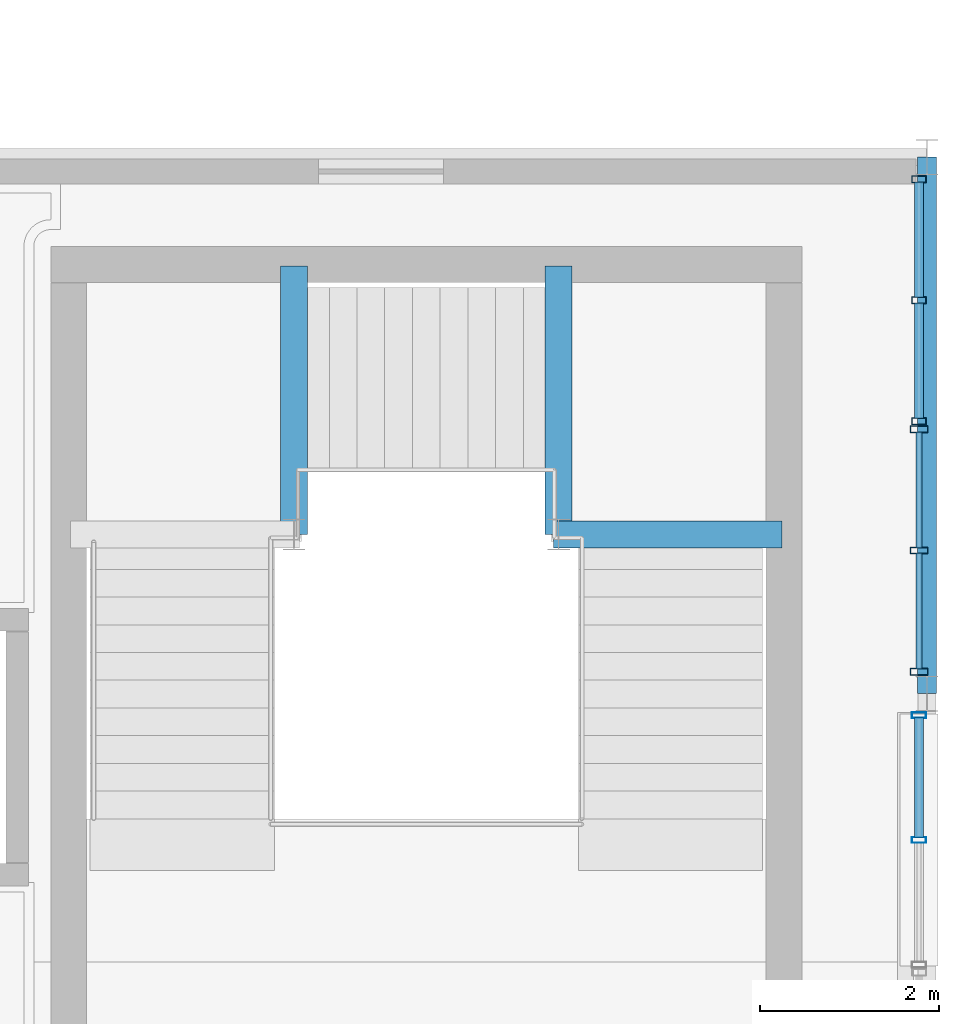
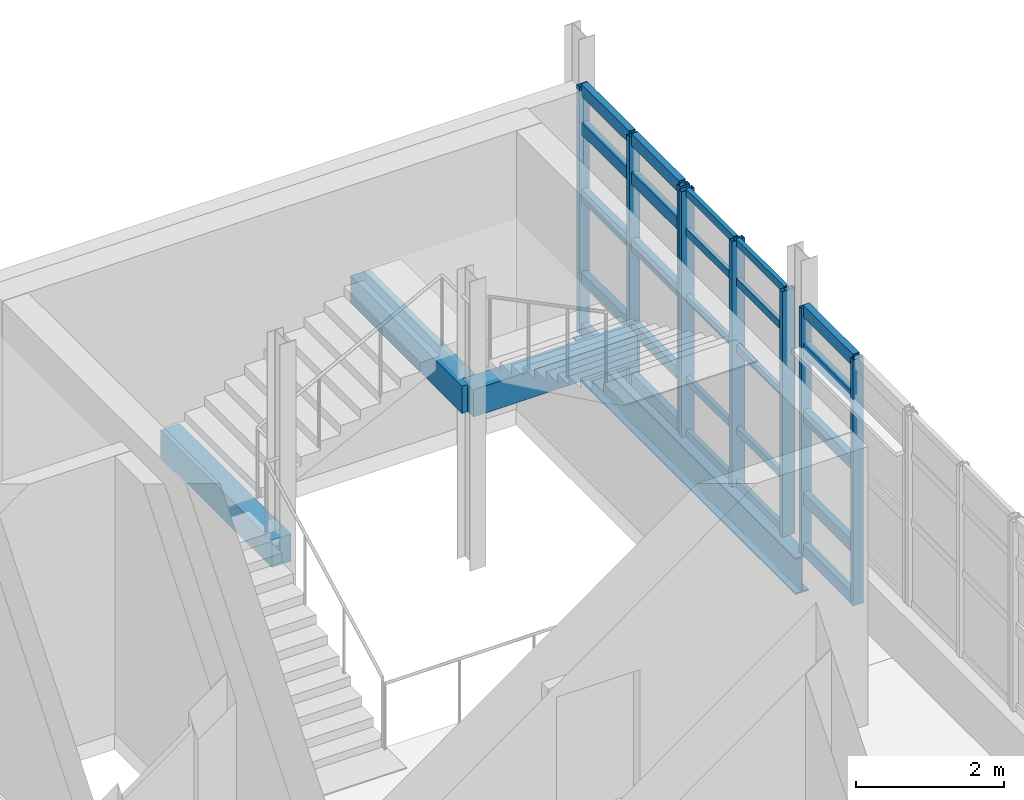
# One storey, part 58 of 102: 33 members, 4 beams, 3 elements without a shape of their own.
"""IFC4 building model written with IfcOpenShell, lengths in metres."""

from ifc_helpers import new_model, si_unit, derived_unit, direction, frame, origin, origin_2d, place, context, subcontext, project, spatial, rectangle, hollow_rectangle, i_section, extrude, material, layer, layer_set, material_profile, profile_set, type_object, element, aggregate, save


model = new_model("IFC4")

# Units and contexts
model_context = context("Model", 3, precision=1e-05, world=origin(), true_north=direction((0.0, 1.0)))
body_context = subcontext(model_context, "Body", "Model", "MODEL_VIEW")
ifc_project = project(units=[si_unit("LENGTHUNIT", "METRE"), si_unit("AREAUNIT", "SQUARE_METRE"), si_unit("VOLUMEUNIT", "CUBIC_METRE"), si_unit("PLANEANGLEUNIT", "RADIAN"), si_unit("MASSUNIT", "GRAM", prefix="KILO"), derived_unit("THERMALTRANSMITTANCEUNIT", [(si_unit("POWERUNIT", "WATT"), 1), (si_unit("LENGTHUNIT", "METRE"), -2), (si_unit("THERMODYNAMICTEMPERATUREUNIT", "KELVIN"), -1)])], contexts=[model_context])

# Site, building, storey
site_placement = place(None, origin())
site = spatial("IfcSite", under=ifc_project, at=site_placement, CompositionType="ELEMENT")
building_placement = place(site_placement, origin())
building = spatial("IfcBuilding", under=site, at=building_placement, Name="Nallur Shell Playhouse", CompositionType="ELEMENT")
storey_placement = place(building_placement, frame((0.0, 0.0, 15.0)))
storey = spatial("IfcBuildingStorey", under=building, at=storey_placement, Name="L04", CompositionType="ELEMENT", Elevation=15.0)

# Beams
ifc_material_1 = material(Name="Concrete M35", Category="concrete")
ifc_material_profile_1 = material_profile(ifc_material_1, rectangle(XDim=0.300048828125, YDim=0.449951171875, at=origin_2d()), Name="RC 300x450")
ifc_profile_set_1 = profile_set([ifc_material_profile_1], Name="Concrete M35")
beam_type_1 = type_object("IfcBeamType", Name="BM-SPN-300x450", PredefinedType="SPANDREL", material=ifc_profile_set_1)
beam_1_placement = place(storey_placement, frame((152.719970703125, 51.780029296875, 1.22509765625), z_axis=(0.0, 1.0, 0.0), x_axis=(-1.0, 0.0, 0.0)))
element("IfcBeam", 1, at=beam_1_placement, inside=storey, type_object=beam_type_1, Name="Stair ST-05-L04 L1 east bearer beam", PredefinedType="SPANDREL", context=body_context, shape_type="SweptSolid", body=[
    extrude(rectangle(XDim=0.300048828125, YDim=0.449951171875, at=origin_2d()), origin(), (0.0, 0.0, 1.0), 3.0),
])
beam_2_placement = place(storey_placement, frame((155.6201171875, 51.780029296875, 2.72509765625), z_axis=(1.0, 0.0, 0.0), x_axis=(0.0, 1.0, 0.0)))
element("IfcBeam", 2, at=beam_2_placement, inside=storey, type_object=beam_type_1, Name="Stair ST-05-L04 L2 south bearer beam", PredefinedType="SPANDREL", context=body_context, shape_type="SweptSolid", body=[
    extrude(rectangle(XDim=0.300048828125, YDim=0.449951171875, at=origin_2d()), origin(), (0.0, 0.0, 1.0), 2.559814453125),
])
beam_3_placement = place(storey_placement, frame((155.679931640625, 51.780029296875, 2.72509765625), z_axis=(0.0, 1.0, 0.0), x_axis=(-1.0, 0.0, 0.0)))
element("IfcBeam", 3, at=beam_3_placement, inside=storey, type_object=beam_type_1, Name="Stair ST-05-L04 L2 west bearer beam", PredefinedType="SPANDREL", context=body_context, shape_type="SweptSolid", body=[
    extrude(rectangle(XDim=0.300048828125, YDim=0.449951171875, at=origin_2d()), origin(), (0.0, 0.0, 1.0), 3.0),
])
ifc_material_2 = material(Name="Steel E350", Category="steel")
ifc_material_profile_2 = material_profile(ifc_material_2, i_section(OverallWidth=0.2099609375, OverallDepth=0.60009765625, WebThickness=0.011962890625, FlangeThickness=0.020751953125, FilletRadius=0.02001953125, at=origin_2d()), Name="ISMB 600")
ifc_profile_set_2 = profile_set([ifc_material_profile_2], Name="Steel E350")
beam_type_2 = type_object("IfcBeamType", Name="BM-ST-ISMB600", PredefinedType="BEAM", material=ifc_profile_set_2)
beam_4_placement = place(storey_placement, frame((159.800048828125, 50.0, -0.56005859375), z_axis=(0.0, 1.0, 0.0), x_axis=(-1.0, 0.0, 0.0)))
element("IfcBeam", 4, at=beam_4_placement, inside=storey, type_object=beam_type_2, Name="L04 girder Y-19-872", PredefinedType="BEAM", context=body_context, shape_type="SweptSolid", body=[
    extrude(i_section(OverallWidth=0.2099609375, OverallDepth=0.60009765625, WebThickness=0.011962890625, FlangeThickness=0.020751953125, FilletRadius=0.02001953125, at=origin_2d()), origin(), (0.0, 0.0, 1.0), 6.0),
])

# Curtain wall, members
ifc_material_3 = material(Name="Anodised Aluminium Double-Glazed Facade System", Category="aluminium")
ifc_layer_1 = layer(ifc_material_3, 0.16796875)
ifc_layer_set_1 = layer_set([ifc_layer_1], Name="Anodised Aluminium Double-Glazed Facade System")
curtain_wall_type_1 = type_object("IfcCurtainWallType", Name="CW-UNIT-14", PredefinedType="NOTDEFINED", material=ifc_layer_set_1)
curtain_wall_1_placement = place(storey_placement, origin())
curtain_wall_1 = element("IfcCurtainWall", 5, at=curtain_wall_1_placement, inside=storey, type_object=curtain_wall_type_1, Name="Unitised curtain wall CW-110 (L04)", PredefinedType="NOTDEFINED")
ifc_material_4 = material(Name="Aluminium Alloy 6063-T6 Mullion", Category="aluminium")
ifc_material_profile_3 = material_profile(ifc_material_4, hollow_rectangle(XDim=0.080078125, YDim=0.159912109375, WallThickness=0.006103515625, at=origin_2d()), Name="RHS 160x80x6")
ifc_profile_set_3 = profile_set([ifc_material_profile_3], Name="Aluminium Alloy 6063-T6 Mullion")
member_type_1 = type_object("IfcMemberType", Name="MB-CW-MUL150", PredefinedType="MULLION", material=ifc_profile_set_3)
member_1_placement = place(storey_placement, frame((159.7099609375, 55.751953125, -0.014892578125), z_axis=(0.0, 0.0, 1.0), x_axis=(0.0, -1.0, 0.0)))
member_1 = element("IfcMember", 6, at=member_1_placement, type_object=member_type_1, Name="CW-14 mullion 1", PredefinedType="MULLION", context=body_context, shape_type="SweptSolid", body=[
    extrude(hollow_rectangle(XDim=0.080078125, YDim=0.159912109375, WallThickness=0.006103515625, at=origin_2d()), origin(), (0.0, 0.0, 1.0), 4.06396484375),
])
member_2_placement = place(storey_placement, frame((159.7099609375, 54.3984375, -0.014892578125), z_axis=(0.0, 0.0, 1.0), x_axis=(0.0, -1.0, 0.0)))
member_2 = element("IfcMember", 7, at=member_2_placement, type_object=member_type_1, Name="CW-14 mullion 2", PredefinedType="MULLION", context=body_context, shape_type="SweptSolid", body=[
    extrude(hollow_rectangle(XDim=0.080078125, YDim=0.159912109375, WallThickness=0.006103515625, at=origin_2d()), origin(), (0.0, 0.0, 1.0), 4.06396484375),
])
member_3_placement = place(storey_placement, frame((159.7099609375, 53.044921875, -0.014892578125), z_axis=(0.0, 0.0, 1.0), x_axis=(0.0, -1.0, 0.0)))
member_3 = element("IfcMember", 8, at=member_3_placement, type_object=member_type_1, Name="CW-14 mullion 3", PredefinedType="MULLION", context=body_context, shape_type="SweptSolid", body=[
    extrude(hollow_rectangle(XDim=0.080078125, YDim=0.159912109375, WallThickness=0.006103515625, at=origin_2d()), origin(), (0.0, 0.0, 1.0), 4.06396484375),
])

ifc_layer_2 = layer(ifc_material_3, 0.176025390625)
ifc_layer_set_2 = layer_set([ifc_layer_2], Name="Anodised Aluminium Double-Glazed Facade System")
curtain_wall_type_2 = type_object("IfcCurtainWallType", Name="CW-UNIT-16", PredefinedType="NOTDEFINED", material=ifc_layer_set_2)
curtain_wall_2_placement = place(storey_placement, origin())
curtain_wall_2 = element("IfcCurtainWall", 9, at=curtain_wall_2_placement, inside=storey, type_object=curtain_wall_type_2, Name="Unitised curtain wall CW-112 (L04)", PredefinedType="NOTDEFINED")
ifc_material_profile_4 = material_profile(ifc_material_4, hollow_rectangle(XDim=0.06494140625, YDim=0.159912109375, WallThickness=0.00390625, at=origin_2d()), Name="ALU 65x160x4")
ifc_profile_set_4 = profile_set([ifc_material_profile_4], Name="Aluminium Alloy 6063-T6 Mullion")
member_type_2 = type_object("IfcMemberType", Name="MB-CW-MUL160", PredefinedType="MULLION", material=ifc_profile_set_4)
member_4_placement = place(storey_placement, frame((159.7099609375, 49.759521484375, -0.014892578125), z_axis=(0.0, 0.0, 1.0), x_axis=(0.0, -1.0, 0.0)))
member_4 = element("IfcMember", 10, at=member_4_placement, type_object=member_type_2, Name="CW-16 mullion 1", PredefinedType="MULLION", context=body_context, shape_type="SweptSolid", body=[
    extrude(hollow_rectangle(XDim=0.06494140625, YDim=0.159912109375, WallThickness=0.00390625, at=origin_2d()), origin(), (0.0, 0.0, 1.0), 4.053955078125),
])
member_5_placement = place(storey_placement, frame((159.7099609375, 48.36376953125, -0.014892578125), z_axis=(0.0, 0.0, 1.0), x_axis=(0.0, -1.0, 0.0)))
member_5 = element("IfcMember", 11, at=member_5_placement, type_object=member_type_2, Name="CW-16 mullion 2", PredefinedType="MULLION", context=body_context, shape_type="SweptSolid", body=[
    extrude(hollow_rectangle(XDim=0.06494140625, YDim=0.159912109375, WallThickness=0.00390625, at=origin_2d()), origin(), (0.0, 0.0, 1.0), 4.053955078125),
])

ifc_layer_3 = layer(ifc_material_3, 0.172119140625)
ifc_layer_set_3 = layer_set([ifc_layer_3], Name="Anodised Aluminium Double-Glazed Facade System")
curtain_wall_type_3 = type_object("IfcCurtainWallType", Name="CW-UNIT-15", PredefinedType="NOTDEFINED", material=ifc_layer_set_3)
curtain_wall_3_placement = place(storey_placement, origin())
curtain_wall_3 = element("IfcCurtainWall", 12, at=curtain_wall_3_placement, inside=storey, type_object=curtain_wall_type_3, Name="Unitised curtain wall CW-111 (L04)", PredefinedType="NOTDEFINED")
ifc_material_profile_5 = material_profile(ifc_material_4, hollow_rectangle(XDim=0.074951171875, YDim=0.199951171875, WallThickness=0.0048828125, at=origin_2d()), Name="ALU 75x200x5")
ifc_profile_set_5 = profile_set([ifc_material_profile_5], Name="Aluminium Alloy 6063-T6 Mullion")
member_type_3 = type_object("IfcMemberType", Name="MB-CW-MUL180", PredefinedType="MULLION", material=ifc_profile_set_5)
member_6_placement = place(storey_placement, frame((159.7099609375, 52.95751953125, -0.014892578125), z_axis=(0.0, 0.0, 1.0), x_axis=(0.0, -1.0, 0.0)))
member_6 = element("IfcMember", 13, at=member_6_placement, type_object=member_type_3, Name="CW-15 mullion 1", PredefinedType="MULLION", context=body_context, shape_type="SweptSolid", body=[
    extrude(hollow_rectangle(XDim=0.074951171875, YDim=0.199951171875, WallThickness=0.0048828125, at=origin_2d()), origin(), (0.0, 0.0, 1.0), 4.0439453125),
])
member_7_placement = place(storey_placement, frame((159.7099609375, 51.6015625, -0.014892578125), z_axis=(0.0, 0.0, 1.0), x_axis=(0.0, -1.0, 0.0)))
member_7 = element("IfcMember", 14, at=member_7_placement, type_object=member_type_3, Name="CW-15 mullion 2", PredefinedType="MULLION", context=body_context, shape_type="SweptSolid", body=[
    extrude(hollow_rectangle(XDim=0.074951171875, YDim=0.199951171875, WallThickness=0.0048828125, at=origin_2d()), origin(), (0.0, 0.0, 1.0), 4.0439453125),
])
member_8_placement = place(storey_placement, frame((159.7099609375, 50.24560546875, -0.014892578125), z_axis=(0.0, 0.0, 1.0), x_axis=(0.0, -1.0, 0.0)))
member_8 = element("IfcMember", 15, at=member_8_placement, type_object=member_type_3, Name="CW-15 mullion 3", PredefinedType="MULLION", context=body_context, shape_type="SweptSolid", body=[
    extrude(hollow_rectangle(XDim=0.074951171875, YDim=0.199951171875, WallThickness=0.0048828125, at=origin_2d()), origin(), (0.0, 0.0, 1.0), 4.0439453125),
])
ifc_material_5 = material(Name="Aluminium Alloy 6063-T6 Transom", Category="aluminium")
ifc_material_profile_6 = material_profile(ifc_material_5, hollow_rectangle(XDim=0.06494140625, YDim=0.1201171875, WallThickness=0.00390625, at=origin_2d()), Name="ALU 65x120x4")
ifc_profile_set_6 = profile_set([ifc_material_profile_6], Name="Aluminium Alloy 6063-T6 Transom")
member_type_4 = type_object("IfcMemberType", Name="MB-CW-TRN120", PredefinedType="USERDEFINED", material=ifc_profile_set_6)
member_9_placement = place(storey_placement, frame((159.7099609375, 52.927978515625, 0.032470703125), z_axis=(0.0, -1.0, 0.0), x_axis=(1.0, 0.0, 0.0)))
member_9 = element("IfcMember", 16, at=member_9_placement, type_object=member_type_4, Name="CW-15 transom 1.1", ObjectType="TRANSOM", PredefinedType="USERDEFINED", context=body_context, shape_type="SweptSolid", body=[
    extrude(hollow_rectangle(XDim=0.06494140625, YDim=0.1201171875, WallThickness=0.00390625, at=origin_2d()), origin(), (0.0, 0.0, 1.0), 1.296875),
])
member_10_placement = place(storey_placement, frame((159.7099609375, 52.927978515625, 0.89990234375), z_axis=(0.0, -1.0, 0.0), x_axis=(1.0, 0.0, 0.0)))
member_10 = element("IfcMember", 17, at=member_10_placement, type_object=member_type_4, Name="CW-15 transom 1.2", ObjectType="TRANSOM", PredefinedType="USERDEFINED", context=body_context, shape_type="SweptSolid", body=[
    extrude(hollow_rectangle(XDim=0.06494140625, YDim=0.1201171875, WallThickness=0.00390625, at=origin_2d()), origin(), (0.0, 0.0, 1.0), 1.296875),
])
member_11_placement = place(storey_placement, frame((159.7099609375, 52.927978515625, 2.25390625), z_axis=(0.0, -1.0, 0.0), x_axis=(1.0, 0.0, 0.0)))
member_11 = element("IfcMember", 18, at=member_11_placement, type_object=member_type_4, Name="CW-15 transom 1.3", ObjectType="TRANSOM", PredefinedType="USERDEFINED", context=body_context, shape_type="SweptSolid", body=[
    extrude(hollow_rectangle(XDim=0.06494140625, YDim=0.1201171875, WallThickness=0.00390625, at=origin_2d()), origin(), (0.0, 0.0, 1.0), 1.296875),
])
member_12_placement = place(storey_placement, frame((159.7099609375, 52.927978515625, 3.344970703125), z_axis=(0.0, -1.0, 0.0), x_axis=(1.0, 0.0, 0.0)))
member_12 = element("IfcMember", 19, at=member_12_placement, type_object=member_type_4, Name="CW-15 transom 1.4", ObjectType="TRANSOM", PredefinedType="USERDEFINED", context=body_context, shape_type="SweptSolid", body=[
    extrude(hollow_rectangle(XDim=0.06494140625, YDim=0.1201171875, WallThickness=0.00390625, at=origin_2d()), origin(), (0.0, 0.0, 1.0), 1.296875),
])
member_13_placement = place(storey_placement, frame((159.7099609375, 52.927978515625, 3.992431640625), z_axis=(0.0, -1.0, 0.0), x_axis=(1.0, 0.0, 0.0)))
member_13 = element("IfcMember", 20, at=member_13_placement, type_object=member_type_4, Name="CW-15 transom 1.5", ObjectType="TRANSOM", PredefinedType="USERDEFINED", context=body_context, shape_type="SweptSolid", body=[
    extrude(hollow_rectangle(XDim=0.06494140625, YDim=0.1201171875, WallThickness=0.00390625, at=origin_2d()), origin(), (0.0, 0.0, 1.0), 1.296875),
])
member_14_placement = place(storey_placement, frame((159.7099609375, 51.572021484375, 0.032470703125), z_axis=(0.0, -1.0, 0.0), x_axis=(1.0, 0.0, 0.0)))
member_14 = element("IfcMember", 21, at=member_14_placement, type_object=member_type_4, Name="CW-15 transom 2.1", ObjectType="TRANSOM", PredefinedType="USERDEFINED", context=body_context, shape_type="SweptSolid", body=[
    extrude(hollow_rectangle(XDim=0.06494140625, YDim=0.1201171875, WallThickness=0.00390625, at=origin_2d()), origin(), (0.0, 0.0, 1.0), 1.297119140625),
])
member_15_placement = place(storey_placement, frame((159.7099609375, 51.572021484375, 0.89990234375), z_axis=(0.0, -1.0, 0.0), x_axis=(1.0, 0.0, 0.0)))
member_15 = element("IfcMember", 22, at=member_15_placement, type_object=member_type_4, Name="CW-15 transom 2.2", ObjectType="TRANSOM", PredefinedType="USERDEFINED", context=body_context, shape_type="SweptSolid", body=[
    extrude(hollow_rectangle(XDim=0.06494140625, YDim=0.1201171875, WallThickness=0.00390625, at=origin_2d()), origin(), (0.0, 0.0, 1.0), 1.297119140625),
])
member_16_placement = place(storey_placement, frame((159.7099609375, 51.572021484375, 2.25390625), z_axis=(0.0, -1.0, 0.0), x_axis=(1.0, 0.0, 0.0)))
member_16 = element("IfcMember", 23, at=member_16_placement, type_object=member_type_4, Name="CW-15 transom 2.3", ObjectType="TRANSOM", PredefinedType="USERDEFINED", context=body_context, shape_type="SweptSolid", body=[
    extrude(hollow_rectangle(XDim=0.06494140625, YDim=0.1201171875, WallThickness=0.00390625, at=origin_2d()), origin(), (0.0, 0.0, 1.0), 1.297119140625),
])
member_17_placement = place(storey_placement, frame((159.7099609375, 51.572021484375, 3.344970703125), z_axis=(0.0, -1.0, 0.0), x_axis=(1.0, 0.0, 0.0)))
member_17 = element("IfcMember", 24, at=member_17_placement, type_object=member_type_4, Name="CW-15 transom 2.4", ObjectType="TRANSOM", PredefinedType="USERDEFINED", context=body_context, shape_type="SweptSolid", body=[
    extrude(hollow_rectangle(XDim=0.06494140625, YDim=0.1201171875, WallThickness=0.00390625, at=origin_2d()), origin(), (0.0, 0.0, 1.0), 1.297119140625),
])
member_18_placement = place(storey_placement, frame((159.7099609375, 51.572021484375, 3.992431640625), z_axis=(0.0, -1.0, 0.0), x_axis=(1.0, 0.0, 0.0)))
member_18 = element("IfcMember", 25, at=member_18_placement, type_object=member_type_4, Name="CW-15 transom 2.5", ObjectType="TRANSOM", PredefinedType="USERDEFINED", context=body_context, shape_type="SweptSolid", body=[
    extrude(hollow_rectangle(XDim=0.06494140625, YDim=0.1201171875, WallThickness=0.00390625, at=origin_2d()), origin(), (0.0, 0.0, 1.0), 1.297119140625),
])
aggregate(curtain_wall_3, [member_6, member_7, member_8, member_9, member_10, member_11, member_12, member_13, member_14, member_15, member_16, member_17, member_18])

# Member
ifc_material_profile_7 = material_profile(ifc_material_5, hollow_rectangle(XDim=0.10009765625, YDim=0.199951171875, WallThickness=0.008056640625, at=origin_2d()), Name="RHS 200x100x8")
ifc_profile_set_7 = profile_set([ifc_material_profile_7], Name="Aluminium Alloy 6063-T6 Transom")
member_type_5 = type_object("IfcMemberType", Name="MB-CW-TRN140", PredefinedType="USERDEFINED", material=ifc_profile_set_7)
member_19_placement = place(storey_placement, frame((159.7099609375, 55.719970703125, 0.050048828125), z_axis=(0.0, -1.0, 0.0), x_axis=(1.0, 0.0, 0.0)))
member_19 = element("IfcMember", 26, at=member_19_placement, type_object=member_type_5, Name="CW-14 transom 1.1", ObjectType="TRANSOM", PredefinedType="USERDEFINED", context=body_context, shape_type="SweptSolid", body=[
    extrude(hollow_rectangle(XDim=0.10009765625, YDim=0.199951171875, WallThickness=0.008056640625, at=origin_2d()), origin(), (0.0, 0.0, 1.0), 1.28955078125),
])

member_20_placement = place(storey_placement, frame((159.7099609375, 55.719970703125, 0.89990234375), z_axis=(0.0, -1.0, 0.0), x_axis=(1.0, 0.0, 0.0)))
member_20 = element("IfcMember", 27, at=member_20_placement, type_object=member_type_5, Name="CW-14 transom 1.2", ObjectType="TRANSOM", PredefinedType="USERDEFINED", context=body_context, shape_type="SweptSolid", body=[
    extrude(hollow_rectangle(XDim=0.10009765625, YDim=0.199951171875, WallThickness=0.008056640625, at=origin_2d()), origin(), (0.0, 0.0, 1.0), 1.28955078125),
])

member_21_placement = place(storey_placement, frame((159.7099609375, 55.719970703125, 2.264892578125), z_axis=(0.0, -1.0, 0.0), x_axis=(1.0, 0.0, 0.0)))
member_21 = element("IfcMember", 28, at=member_21_placement, type_object=member_type_5, Name="CW-14 transom 1.3", ObjectType="TRANSOM", PredefinedType="USERDEFINED", context=body_context, shape_type="SweptSolid", body=[
    extrude(hollow_rectangle(XDim=0.10009765625, YDim=0.199951171875, WallThickness=0.008056640625, at=origin_2d()), origin(), (0.0, 0.0, 1.0), 1.28955078125),
])

member_22_placement = place(storey_placement, frame((159.7099609375, 55.719970703125, 3.364990234375), z_axis=(0.0, -1.0, 0.0), x_axis=(1.0, 0.0, 0.0)))
member_22 = element("IfcMember", 29, at=member_22_placement, type_object=member_type_5, Name="CW-14 transom 1.4", ObjectType="TRANSOM", PredefinedType="USERDEFINED", context=body_context, shape_type="SweptSolid", body=[
    extrude(hollow_rectangle(XDim=0.10009765625, YDim=0.199951171875, WallThickness=0.008056640625, at=origin_2d()), origin(), (0.0, 0.0, 1.0), 1.28955078125),
])

member_23_placement = place(storey_placement, frame((159.7099609375, 55.719970703125, 3.9951171875), z_axis=(0.0, -1.0, 0.0), x_axis=(1.0, 0.0, 0.0)))
member_23 = element("IfcMember", 30, at=member_23_placement, type_object=member_type_5, Name="CW-14 transom 1.5", ObjectType="TRANSOM", PredefinedType="USERDEFINED", context=body_context, shape_type="SweptSolid", body=[
    extrude(hollow_rectangle(XDim=0.10009765625, YDim=0.199951171875, WallThickness=0.008056640625, at=origin_2d()), origin(), (0.0, 0.0, 1.0), 1.28955078125),
])

member_24_placement = place(storey_placement, frame((159.7099609375, 54.366455078125, 0.050048828125), z_axis=(0.0, -1.0, 0.0), x_axis=(1.0, 0.0, 0.0)))
member_24 = element("IfcMember", 31, at=member_24_placement, type_object=member_type_5, Name="CW-14 transom 2.1", ObjectType="TRANSOM", PredefinedType="USERDEFINED", context=body_context, shape_type="SweptSolid", body=[
    extrude(hollow_rectangle(XDim=0.10009765625, YDim=0.199951171875, WallThickness=0.008056640625, at=origin_2d()), origin(), (0.0, 0.0, 1.0), 1.28955078125),
])

member_25_placement = place(storey_placement, frame((159.7099609375, 54.366455078125, 0.89990234375), z_axis=(0.0, -1.0, 0.0), x_axis=(1.0, 0.0, 0.0)))
member_25 = element("IfcMember", 32, at=member_25_placement, type_object=member_type_5, Name="CW-14 transom 2.2", ObjectType="TRANSOM", PredefinedType="USERDEFINED", context=body_context, shape_type="SweptSolid", body=[
    extrude(hollow_rectangle(XDim=0.10009765625, YDim=0.199951171875, WallThickness=0.008056640625, at=origin_2d()), origin(), (0.0, 0.0, 1.0), 1.28955078125),
])

member_26_placement = place(storey_placement, frame((159.7099609375, 54.366455078125, 2.264892578125), z_axis=(0.0, -1.0, 0.0), x_axis=(1.0, 0.0, 0.0)))
member_26 = element("IfcMember", 33, at=member_26_placement, type_object=member_type_5, Name="CW-14 transom 2.3", ObjectType="TRANSOM", PredefinedType="USERDEFINED", context=body_context, shape_type="SweptSolid", body=[
    extrude(hollow_rectangle(XDim=0.10009765625, YDim=0.199951171875, WallThickness=0.008056640625, at=origin_2d()), origin(), (0.0, 0.0, 1.0), 1.28955078125),
])

member_27_placement = place(storey_placement, frame((159.7099609375, 54.366455078125, 3.364990234375), z_axis=(0.0, -1.0, 0.0), x_axis=(1.0, 0.0, 0.0)))
member_27 = element("IfcMember", 34, at=member_27_placement, type_object=member_type_5, Name="CW-14 transom 2.4", ObjectType="TRANSOM", PredefinedType="USERDEFINED", context=body_context, shape_type="SweptSolid", body=[
    extrude(hollow_rectangle(XDim=0.10009765625, YDim=0.199951171875, WallThickness=0.008056640625, at=origin_2d()), origin(), (0.0, 0.0, 1.0), 1.28955078125),
])

member_28_placement = place(storey_placement, frame((159.7099609375, 54.366455078125, 3.9951171875), z_axis=(0.0, -1.0, 0.0), x_axis=(1.0, 0.0, 0.0)))
member_28 = element("IfcMember", 35, at=member_28_placement, type_object=member_type_5, Name="CW-14 transom 2.5", ObjectType="TRANSOM", PredefinedType="USERDEFINED", context=body_context, shape_type="SweptSolid", body=[
    extrude(hollow_rectangle(XDim=0.10009765625, YDim=0.199951171875, WallThickness=0.008056640625, at=origin_2d()), origin(), (0.0, 0.0, 1.0), 1.28955078125),
])

aggregate(curtain_wall_1, [member_1, member_2, member_3, member_19, member_20, member_21, member_22, member_23, member_24, member_25, member_26, member_27, member_28])

member_29_placement = place(storey_placement, frame((159.7099609375, 49.735107421875, 0.050048828125), z_axis=(0.0, -1.0, 0.0), x_axis=(1.0, 0.0, 0.0)))
member_29 = element("IfcMember", 36, at=member_29_placement, type_object=member_type_5, Name="CW-16 transom 1.1", ObjectType="TRANSOM", PredefinedType="USERDEFINED", context=body_context, shape_type="SweptSolid", body=[
    extrude(hollow_rectangle(XDim=0.10009765625, YDim=0.199951171875, WallThickness=0.008056640625, at=origin_2d()), origin(), (0.0, 0.0, 1.0), 1.3466796875),
])

member_30_placement = place(storey_placement, frame((159.7099609375, 49.735107421875, 0.89990234375), z_axis=(0.0, -1.0, 0.0), x_axis=(1.0, 0.0, 0.0)))
member_30 = element("IfcMember", 37, at=member_30_placement, type_object=member_type_5, Name="CW-16 transom 1.2", ObjectType="TRANSOM", PredefinedType="USERDEFINED", context=body_context, shape_type="SweptSolid", body=[
    extrude(hollow_rectangle(XDim=0.10009765625, YDim=0.199951171875, WallThickness=0.008056640625, at=origin_2d()), origin(), (0.0, 0.0, 1.0), 1.3466796875),
])

member_31_placement = place(storey_placement, frame((159.7099609375, 49.735107421875, 2.260009765625), z_axis=(0.0, -1.0, 0.0), x_axis=(1.0, 0.0, 0.0)))
member_31 = element("IfcMember", 38, at=member_31_placement, type_object=member_type_5, Name="CW-16 transom 1.3", ObjectType="TRANSOM", PredefinedType="USERDEFINED", context=body_context, shape_type="SweptSolid", body=[
    extrude(hollow_rectangle(XDim=0.10009765625, YDim=0.199951171875, WallThickness=0.008056640625, at=origin_2d()), origin(), (0.0, 0.0, 1.0), 1.3466796875),
])

member_32_placement = place(storey_placement, frame((159.7099609375, 49.735107421875, 3.35498046875), z_axis=(0.0, -1.0, 0.0), x_axis=(1.0, 0.0, 0.0)))
member_32 = element("IfcMember", 39, at=member_32_placement, type_object=member_type_5, Name="CW-16 transom 1.4", ObjectType="TRANSOM", PredefinedType="USERDEFINED", context=body_context, shape_type="SweptSolid", body=[
    extrude(hollow_rectangle(XDim=0.10009765625, YDim=0.199951171875, WallThickness=0.008056640625, at=origin_2d()), origin(), (0.0, 0.0, 1.0), 1.3466796875),
])

member_33_placement = place(storey_placement, frame((159.7099609375, 49.735107421875, 3.985107421875), z_axis=(0.0, -1.0, 0.0), x_axis=(1.0, 0.0, 0.0)))
member_33 = element("IfcMember", 40, at=member_33_placement, type_object=member_type_5, Name="CW-16 transom 1.5", ObjectType="TRANSOM", PredefinedType="USERDEFINED", context=body_context, shape_type="SweptSolid", body=[
    extrude(hollow_rectangle(XDim=0.10009765625, YDim=0.199951171875, WallThickness=0.008056640625, at=origin_2d()), origin(), (0.0, 0.0, 1.0), 1.3466796875),
])

aggregate(curtain_wall_2, [member_4, member_5, member_29, member_30, member_31, member_32, member_33])

save(model, "model.ifc")
